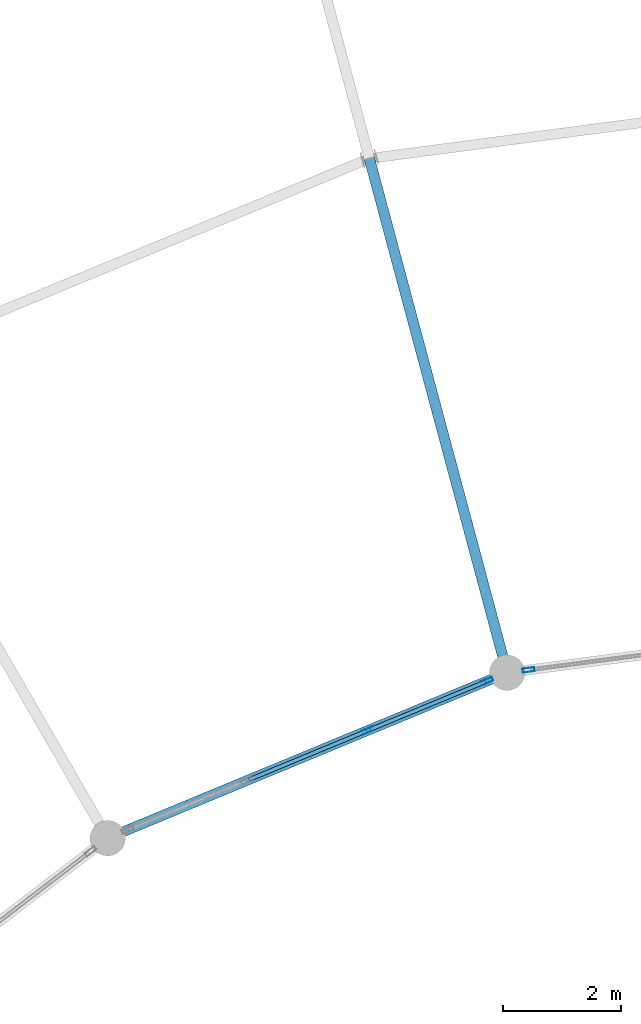
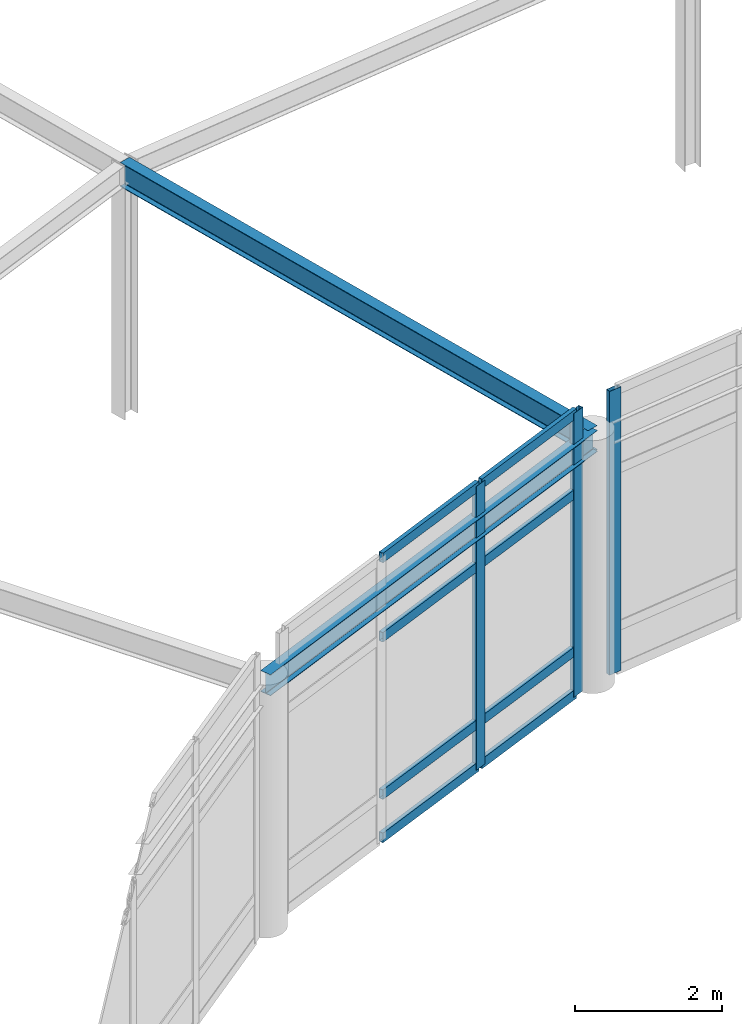
# One storey, part 45 of 93: 11 members, 2 beams, 2 elements without a shape of their own.
"""IFC4 building model written with IfcOpenShell, lengths in metres."""

from ifc_helpers import new_model, si_unit, direction, frame, origin, origin_2d, place, context, subcontext, project, spatial, hollow_rectangle, i_section, extrude, material, material_profile, profile_set, type_object, element, aggregate, save


model = new_model("IFC4")

# Units and contexts
model_context = context("Model", 3, precision=1e-05, world=origin(), true_north=direction((0.0, 1.0)))
body_context = subcontext(model_context, "Body", "Model", "MODEL_VIEW")
ifc_project = project(units=[si_unit("LENGTHUNIT", "METRE"), si_unit("AREAUNIT", "SQUARE_METRE"), si_unit("VOLUMEUNIT", "CUBIC_METRE"), si_unit("PLANEANGLEUNIT", "RADIAN"), si_unit("MASSUNIT", "GRAM", prefix="KILO")], contexts=[model_context])

# Site, building, storey
site_placement = place(None, origin())
site = spatial("IfcSite", under=ifc_project, at=site_placement, CompositionType="ELEMENT")
building_placement = place(site_placement, origin())
building = spatial("IfcBuilding", under=site, at=building_placement, Name="Vondelvale Polytechnic", CompositionType="ELEMENT")
storey_placement = place(building_placement, frame((0.0, 0.0, 18.0)))
storey = spatial("IfcBuildingStorey", under=building, at=storey_placement, Name="L04", CompositionType="ELEMENT", Elevation=18.0)

# Beams
ifc_material_1 = material(Name="Steel 300PLUS (fy = 300 MPa)", Category="steel")
ifc_material_profile_1 = material_profile(ifc_material_1, i_section(OverallWidth=0.1708984375, OverallDepth=0.35205078125, WebThickness=0.0068359375, FlangeThickness=0.009765625, FilletRadius=0.011474609375, at=origin_2d()), Name="360UB44.7")
ifc_profile_set_1 = profile_set([ifc_material_profile_1], Name="Steel 300PLUS (fy = 300 MPa)")
beam_type_1 = type_object("IfcBeamType", Name="BM-UB360L", PredefinedType="BEAM", material=ifc_profile_set_1)
beam_1_placement = place(storey_placement, frame((94.753173828125, 99.0458984375, 4.02392578125), z_axis=(-0.923886161226, -0.382667428841, 0.0), x_axis=(0.382667428841, -0.923886161226, 0.0)))
element("IfcBeam", 1, at=beam_1_placement, inside=storey, type_object=beam_type_1, Name="L04 RE B-24", PredefinedType="BEAM", context=body_context, shape_type="SweptSolid", body=[
    extrude(i_section(OverallWidth=0.1708984375, OverallDepth=0.35205078125, WebThickness=0.0068359375, FlangeThickness=0.009765625, FilletRadius=0.011474609375, at=origin_2d()), origin(), (0.0, 0.0, 1.0), 7.3095703125),
])
ifc_material_profile_2 = material_profile(ifc_material_1, i_section(OverallWidth=0.177978515625, OverallDepth=0.403076171875, WebThickness=0.007568359375, FlangeThickness=0.010986328125, FilletRadius=0.011474609375, at=origin_2d()), Name="410UB53.7")
ifc_profile_set_2 = profile_set([ifc_material_profile_2], Name="Steel 300PLUS (fy = 300 MPa)")
beam_type_2 = type_object("IfcBeamType", Name="BM-UB410L", PredefinedType="BEAM", material=ifc_profile_set_2)
beam_2_placement = place(storey_placement, frame((94.753173828125, 99.0458984375, 3.99853515625), z_axis=(-0.258840941576, 0.965919958881, 0.0), x_axis=(-0.965919958881, -0.258840941576, 0.0)))
element("IfcBeam", 2, at=beam_2_placement, inside=storey, type_object=beam_type_2, Name="L04 REG B-23", PredefinedType="BEAM", context=body_context, shape_type="SweptSolid", body=[
    extrude(i_section(OverallWidth=0.177978515625, OverallDepth=0.403076171875, WebThickness=0.007568359375, FlangeThickness=0.010986328125, FilletRadius=0.011474609375, at=origin_2d()), origin(), (0.0, 0.0, 1.0), 9.0),
])

# Curtain wall, member
ifc_material_2 = material(Name="Anodised extruded aluminium 6063-T6", Category="aluminium")
curtain_wall_type = type_object("IfcCurtainWallType", Name="CW-RING-CLOISTER", PredefinedType="NOTDEFINED", material=ifc_material_2)
curtain_wall_1_placement = place(storey_placement, origin())
curtain_wall_1 = element("IfcCurtainWall", 3, at=curtain_wall_1_placement, inside=storey, type_object=curtain_wall_type, Name="L04 architectural curtain wall CW-03-167", PredefinedType="NOTDEFINED")
ifc_material_profile_3 = material_profile(ifc_material_2, hollow_rectangle(XDim=0.070068359375, YDim=0.199951171875, WallThickness=0.00390625, at=origin_2d()), Name="CW-MUL-200x70")
ifc_profile_set_3 = profile_set([ifc_material_profile_3], Name="Anodised extruded aluminium 6063-T6")
member_type_1 = type_object("IfcMemberType", Name="CW-MUL-70x200", PredefinedType="MULLION", material=ifc_profile_set_3)
member_1_placement = place(storey_placement, frame((95.113525390625, 99.09326171875, 0.0), z_axis=(0.0, 0.0, 1.0), x_axis=(0.130528007165, -0.99144462243, 0.0)))
member_1 = element("IfcMember", 4, at=member_1_placement, type_object=member_type_1, Name="CW-03-167 mullion 4", PredefinedType="MULLION", context=body_context, shape_type="SweptSolid", body=[
    extrude(hollow_rectangle(XDim=0.070068359375, YDim=0.199951171875, WallThickness=0.00390625, at=origin_2d()), origin(), (0.0, 0.0, 1.0), 4.713134765625),
])
aggregate(curtain_wall_1, [member_1])

# Curtain wall, members
curtain_wall_2_placement = place(storey_placement, origin())
curtain_wall_2 = element("IfcCurtainWall", 5, at=curtain_wall_2_placement, inside=storey, type_object=curtain_wall_type, Name="L04 architectural curtain wall CW-03-187", PredefinedType="NOTDEFINED")
member_2_placement = place(storey_placement, frame((94.415771484375, 98.90625, 0.0), z_axis=(0.0, 0.0, 1.0), x_axis=(0.382678531697, -0.923881562419, 0.0)))
member_2 = element("IfcMember", 6, at=member_2_placement, type_object=member_type_1, Name="CW-03-187 mullion 1", PredefinedType="MULLION", context=body_context, shape_type="SweptSolid", body=[
    extrude(hollow_rectangle(XDim=0.070068359375, YDim=0.199951171875, WallThickness=0.00390625, at=origin_2d()), origin(), (0.0, 0.0, 1.0), 4.713134765625),
])
member_3_placement = place(storey_placement, frame((92.400390625, 98.0712890625, 0.0), z_axis=(0.0, 0.0, 1.0), x_axis=(0.382678531697, -0.923881562419, 0.0)))
member_3 = element("IfcMember", 7, at=member_3_placement, type_object=member_type_1, Name="CW-03-187 mullion 2", PredefinedType="MULLION", context=body_context, shape_type="SweptSolid", body=[
    extrude(hollow_rectangle(XDim=0.070068359375, YDim=0.199951171875, WallThickness=0.00390625, at=origin_2d()), origin(), (0.0, 0.0, 1.0), 4.713134765625),
])
ifc_material_profile_4 = material_profile(ifc_material_2, hollow_rectangle(XDim=0.06494140625, YDim=0.159912109375, WallThickness=0.00341796875, at=origin_2d()), Name="CW-TRN-160x65")
ifc_profile_set_4 = profile_set([ifc_material_profile_4], Name="Anodised extruded aluminium 6063-T6")
member_type_2 = type_object("IfcMemberType", Name="CW-TRN-70x160", PredefinedType="USERDEFINED", material=ifc_profile_set_4)
member_4_placement = place(storey_placement, frame((94.383544921875, 98.892822265625, 0.032470703125), z_axis=(-0.923861804277, -0.382726229306, 0.0), x_axis=(0.382726229306, -0.923861804277, 0.0)))
member_4 = element("IfcMember", 8, at=member_4_placement, type_object=member_type_2, Name="CW-03-187 transom 1.1", ObjectType="TRANSOM", PredefinedType="USERDEFINED", context=body_context, shape_type="SweptSolid", body=[
    extrude(hollow_rectangle(XDim=0.06494140625, YDim=0.159912109375, WallThickness=0.00341796875, at=origin_2d()), origin(), (0.0, 0.0, 1.0), 2.111328125),
])
member_5_placement = place(storey_placement, frame((94.383544921875, 98.892822265625, 0.75), z_axis=(-0.923861804277, -0.382726229306, 0.0), x_axis=(0.382726229306, -0.923861804277, 0.0)))
member_5 = element("IfcMember", 9, at=member_5_placement, type_object=member_type_2, Name="CW-03-187 transom 1.2", ObjectType="TRANSOM", PredefinedType="USERDEFINED", context=body_context, shape_type="SweptSolid", body=[
    extrude(hollow_rectangle(XDim=0.06494140625, YDim=0.159912109375, WallThickness=0.00341796875, at=origin_2d()), origin(), (0.0, 0.0, 1.0), 2.111328125),
])
member_6_placement = place(storey_placement, frame((94.383544921875, 98.892822265625, 3.36328125), z_axis=(-0.923861804277, -0.382726229306, 0.0), x_axis=(0.382726229306, -0.923861804277, 0.0)))
member_6 = element("IfcMember", 10, at=member_6_placement, type_object=member_type_2, Name="CW-03-187 transom 1.3", ObjectType="TRANSOM", PredefinedType="USERDEFINED", context=body_context, shape_type="SweptSolid", body=[
    extrude(hollow_rectangle(XDim=0.06494140625, YDim=0.159912109375, WallThickness=0.00341796875, at=origin_2d()), origin(), (0.0, 0.0, 1.0), 2.111328125),
])
member_7_placement = place(storey_placement, frame((94.383544921875, 98.892822265625, 4.6806640625), z_axis=(-0.923861804277, -0.382726229306, 0.0), x_axis=(0.382726229306, -0.923861804277, 0.0)))
member_7 = element("IfcMember", 11, at=member_7_placement, type_object=member_type_2, Name="CW-03-187 transom 1.4", ObjectType="TRANSOM", PredefinedType="USERDEFINED", context=body_context, shape_type="SweptSolid", body=[
    extrude(hollow_rectangle(XDim=0.06494140625, YDim=0.159912109375, WallThickness=0.00341796875, at=origin_2d()), origin(), (0.0, 0.0, 1.0), 2.111328125),
])
member_8_placement = place(storey_placement, frame((92.3681640625, 98.05810546875, 0.032470703125), z_axis=(-0.923865730094, -0.382716752649, 0.0), x_axis=(0.382716752649, -0.923865730094, 0.0)))
member_8 = element("IfcMember", 12, at=member_8_placement, type_object=member_type_2, Name="CW-03-187 transom 2.1", ObjectType="TRANSOM", PredefinedType="USERDEFINED", context=body_context, shape_type="SweptSolid", body=[
    extrude(hollow_rectangle(XDim=0.06494140625, YDim=0.159912109375, WallThickness=0.00341796875, at=origin_2d()), origin(), (0.0, 0.0, 1.0), 2.146484375),
])
member_9_placement = place(storey_placement, frame((92.3681640625, 98.05810546875, 0.75), z_axis=(-0.923865730094, -0.382716752649, 0.0), x_axis=(0.382716752649, -0.923865730094, 0.0)))
member_9 = element("IfcMember", 13, at=member_9_placement, type_object=member_type_2, Name="CW-03-187 transom 2.2", ObjectType="TRANSOM", PredefinedType="USERDEFINED", context=body_context, shape_type="SweptSolid", body=[
    extrude(hollow_rectangle(XDim=0.06494140625, YDim=0.159912109375, WallThickness=0.00341796875, at=origin_2d()), origin(), (0.0, 0.0, 1.0), 2.146484375),
])
member_10_placement = place(storey_placement, frame((92.3681640625, 98.05810546875, 3.36328125), z_axis=(-0.923865730094, -0.382716752649, 0.0), x_axis=(0.382716752649, -0.923865730094, 0.0)))
member_10 = element("IfcMember", 14, at=member_10_placement, type_object=member_type_2, Name="CW-03-187 transom 2.3", ObjectType="TRANSOM", PredefinedType="USERDEFINED", context=body_context, shape_type="SweptSolid", body=[
    extrude(hollow_rectangle(XDim=0.06494140625, YDim=0.159912109375, WallThickness=0.00341796875, at=origin_2d()), origin(), (0.0, 0.0, 1.0), 2.146484375),
])
member_11_placement = place(storey_placement, frame((92.3681640625, 98.05810546875, 4.6806640625), z_axis=(-0.923865730094, -0.382716752649, 0.0), x_axis=(0.382716752649, -0.923865730094, 0.0)))
member_11 = element("IfcMember", 15, at=member_11_placement, type_object=member_type_2, Name="CW-03-187 transom 2.4", ObjectType="TRANSOM", PredefinedType="USERDEFINED", context=body_context, shape_type="SweptSolid", body=[
    extrude(hollow_rectangle(XDim=0.06494140625, YDim=0.159912109375, WallThickness=0.00341796875, at=origin_2d()), origin(), (0.0, 0.0, 1.0), 2.146484375),
])
aggregate(curtain_wall_2, [member_2, member_3, member_4, member_5, member_6, member_7, member_8, member_9, member_10, member_11])

save(model, "model.ifc")
